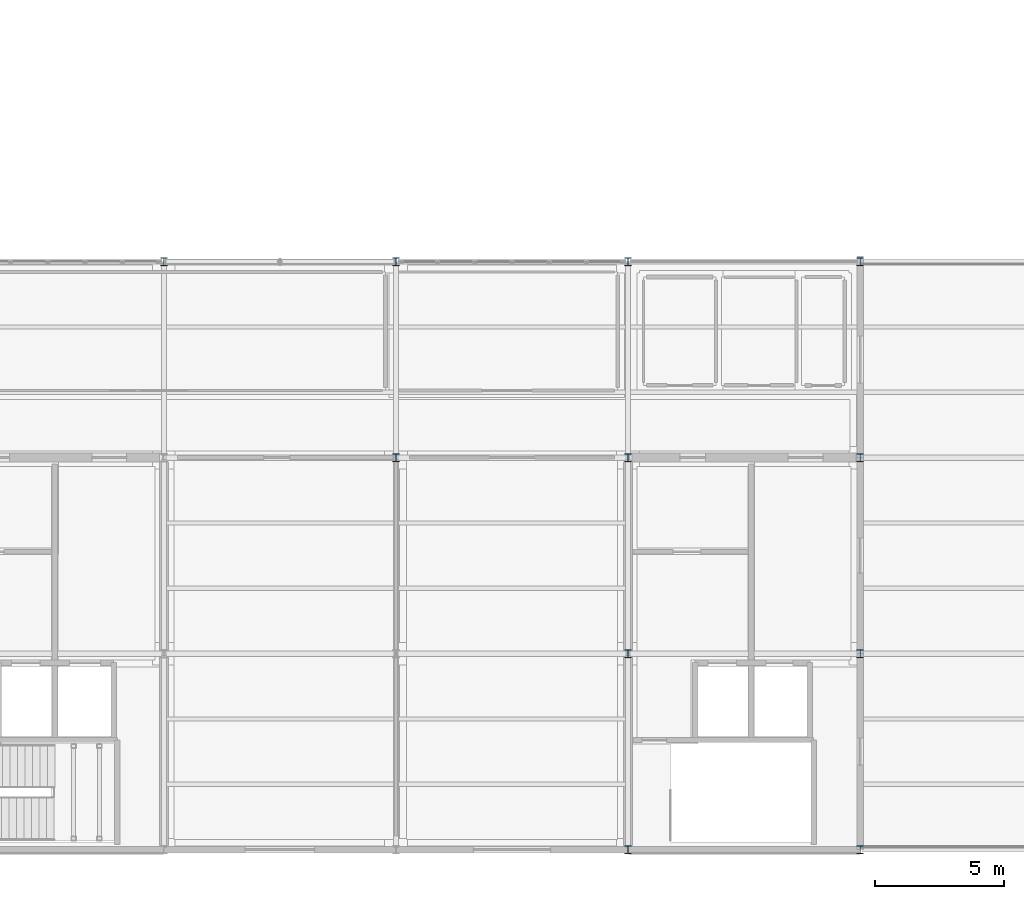
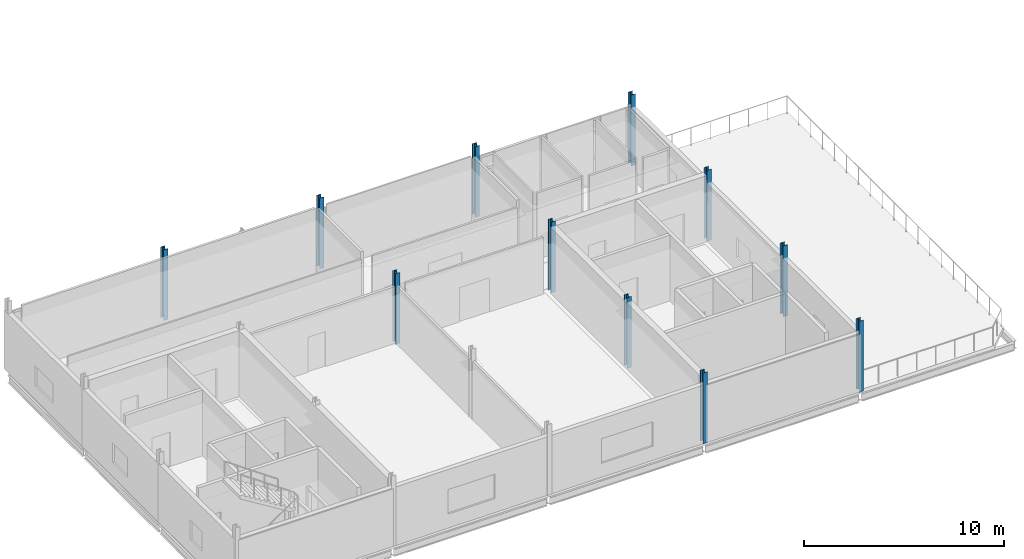
# One storey, part 2 of 24: 11 columns.
"""IFC4 building model written with IfcOpenShell, lengths in metres."""

from ifc_helpers import new_model, si_unit, direction, frame, origin, origin_2d, place, context, subcontext, project, spatial, i_section, extrude, material, material_profile, profile_set, type_object, element, save


model = new_model("IFC4")

# Units and contexts
model_context = context("Model", 3, precision=1e-05, world=origin(), true_north=direction((0.0, 1.0)))
body_context = subcontext(model_context, "Body", "Model", "MODEL_VIEW")
ifc_project = project(units=[si_unit("LENGTHUNIT", "METRE"), si_unit("AREAUNIT", "SQUARE_METRE"), si_unit("VOLUMEUNIT", "CUBIC_METRE"), si_unit("PLANEANGLEUNIT", "RADIAN"), si_unit("MASSUNIT", "GRAM", prefix="KILO")], contexts=[model_context])

# Site, building, storey
site_placement = place(None, origin())
site = spatial("IfcSite", under=ifc_project, at=site_placement, CompositionType="ELEMENT")
building_placement = place(site_placement, origin())
building = spatial("IfcBuilding", under=site, at=building_placement, Name="Caisbarro Railhouse Central Library", CompositionType="ELEMENT")
storey_placement = place(building_placement, frame((0.0, 0.0, 22.320068359375)))
storey = spatial("IfcBuildingStorey", under=building, at=storey_placement, Name="L05", CompositionType="ELEMENT", Elevation=22.320068359375)

# Columns
ifc_material = material(Name="Steel ASTM A572 Grade 50", Category="steel")
ifc_material_profile = material_profile(ifc_material, i_section(OverallWidth=0.25390625, OverallDepth=0.305908203125, WebThickness=0.0087890625, FlangeThickness=0.0146484375, FilletRadius=0.014892578125, at=origin_2d()), Name="W310X79.0")
ifc_profile_set = profile_set([ifc_material_profile], Name="Steel ASTM A572 Grade 50")
column_type = type_object("IfcColumnType", Name="COL-C07", PredefinedType="COLUMN", material=ifc_profile_set)
for number, where, z_axis, x_axis, name in (
    (1, (72.0, 22.800048828125, 0.0), (0.0, 0.0, 1.0), (1.0, 0.0, 0.0), "C07 column L05 (72.0,22.8)"),
    (2, (81.0, 15.199951171875, 0.0), (0.0, 0.0, 1.0), (1.0, 0.0, 0.0), "C07 column L05 (81.0,15.2)"),
    (3, (81.0, 22.800048828125, 0.0), (0.0, 0.0, 1.0), (1.0, 0.0, 0.0), "C07 column L05 (81.0,22.8)"),
    (4, (90.0, 0.0, 0.0), (0.0, 0.0, 1.0), (1.0, 0.0, 0.0), "C07 column L05 (90.0,0.0)"),
    (5, (90.0, 7.60009765625, 0.0), (0.0, 0.0, 1.0), (1.0, 0.0, 0.0), "C07 column L05 (90.0,7.6)"),
    (6, (90.0, 15.199951171875, 0.0), (0.0, 0.0, 1.0), (1.0, 0.0, 0.0), "C07 column L05 (90.0,15.2)"),
    (7, (90.0, 22.800048828125, 0.0), (0.0, 0.0, 1.0), (1.0, 0.0, 0.0), "C07 column L05 (90.0,22.8)"),
    (8, (99.0, 0.0, 0.0), (0.0, 0.0, 1.0), (1.0, 0.0, 0.0), "C07 column L05 (99.0,0.0)"),
    (9, (99.0, 7.60009765625, 0.0), (0.0, 0.0, 1.0), (1.0, 0.0, 0.0), "C07 column L05 (99.0,7.6)"),
    (10, (99.0, 15.199951171875, 0.0), (0.0, 0.0, 1.0), (1.0, 0.0, 0.0), "C07 column L05 (99.0,15.2)"),
    (11, (99.0, 22.800048828125, 0.0), (0.0, 0.0, 1.0), (1.0, 0.0, 0.0), "C07 column L05 (99.0,22.8)"),
):
    element("IfcColumn", number, at=place(storey_placement, frame(where, z_axis=z_axis, x_axis=x_axis)), inside=storey, type_object=column_type, Name=name, PredefinedType="COLUMN", context=body_context, shape_type="SweptSolid", body=[
        extrude(i_section(OverallWidth=0.25390625, OverallDepth=0.305908203125, WebThickness=0.0087890625, FlangeThickness=0.0146484375, FilletRadius=0.014892578125, at=origin_2d()), origin(), (0.0, 0.0, 1.0), 4.31982421875),
    ])

save(model, "model.ifc")
